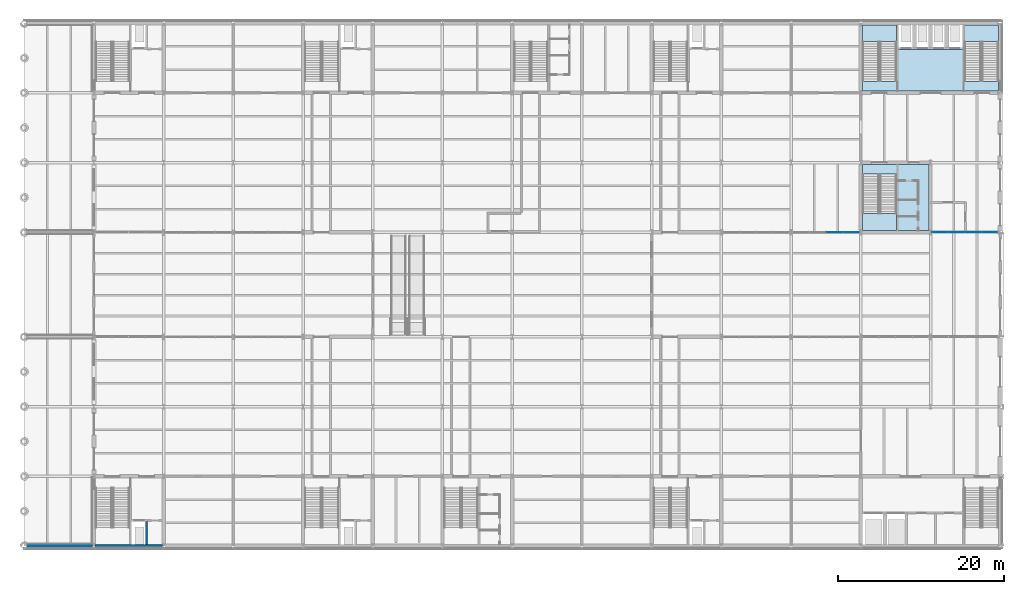
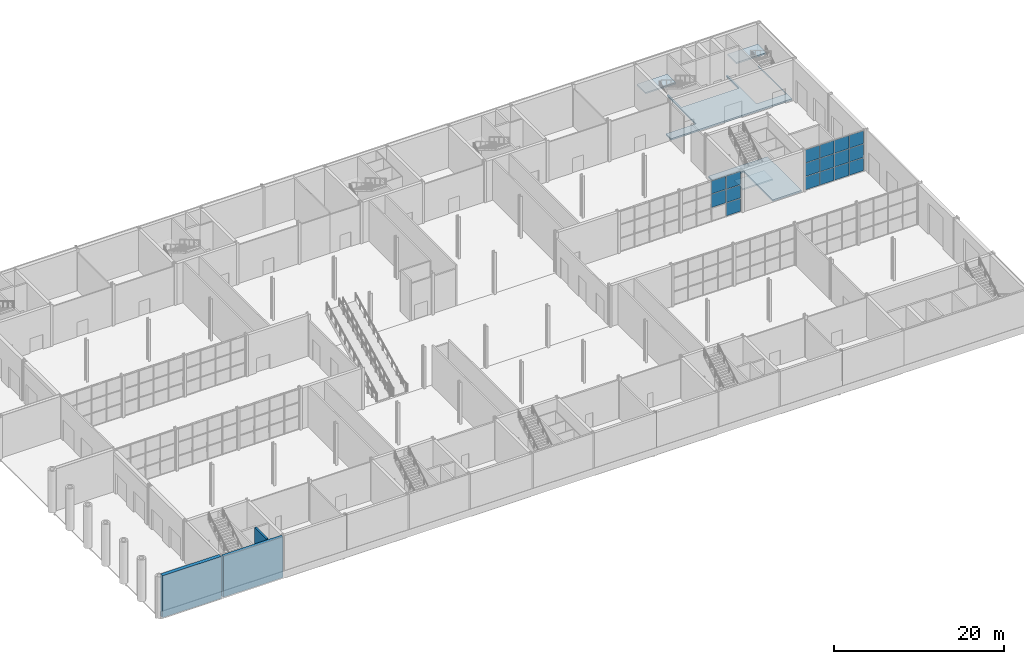
# One storey, part 29 of 55: 17 plates, 5 slabs, 3 walls, 5 elements without a shape of their own.
"""IFC4 building model written with IfcOpenShell, lengths in metres."""

from ifc_helpers import new_model, si_unit, direction, frame, frame_2d, origin, origin_2d, place, context, subcontext, project, spatial, polyline, rectangle, outline, extrude, material, layer, layer_set, type_object, element, aggregate, save


model = new_model("IFC4")

# Units and contexts
model_context = context("Model", 3, precision=1e-05, world=origin(), true_north=direction((0.0, 1.0)))
body_context = subcontext(model_context, "Body", "Model", "MODEL_VIEW")
ifc_project = project(units=[si_unit("LENGTHUNIT", "METRE"), si_unit("AREAUNIT", "SQUARE_METRE"), si_unit("VOLUMEUNIT", "CUBIC_METRE"), si_unit("PLANEANGLEUNIT", "RADIAN"), si_unit("MASSUNIT", "GRAM", prefix="KILO")], contexts=[model_context])

# Site, building, storey
site_placement = place(None, origin())
site = spatial("IfcSite", under=ifc_project, at=site_placement, CompositionType="ELEMENT")
building_placement = place(site_placement, origin())
building = spatial("IfcBuilding", under=site, at=building_placement, Name="Galleria Vessillo Department Store", CompositionType="ELEMENT")
storey_placement = place(building_placement, origin())
storey = spatial("IfcBuildingStorey", under=building, at=storey_placement, Name="L00", CompositionType="ELEMENT", Elevation=0.0)

# Curtain wall, plates
ifc_material_1 = material(Name="Aluminium and glass curtain wall", Category="aluminium")
ifc_layer_1 = layer(ifc_material_1, 0.159912109375)
ifc_layer_set_1 = layer_set([ifc_layer_1], Name="Aluminium and glass curtain wall")
curtain_wall_type_1 = type_object("IfcCurtainWallType", Name="Arcade portal glazing CW2 2100 module", PredefinedType="NOTDEFINED", material=ifc_layer_set_1)
curtain_wall_1_placement = place(storey_placement, origin())
curtain_wall_1 = element("IfcCurtainWall", 1, at=curtain_wall_1_placement, inside=storey, type_object=curtain_wall_type_1, Name="Arcade portal glazing CW2 2100 module PW-E-N-L00-01", PredefinedType="NOTDEFINED")
ifc_material_2 = material(Name="Glass laminated 44.2 low-e", Category="glass")
ifc_layer_2 = layer(ifc_material_2, 0.028076171875)
ifc_layer_set_2 = layer_set([ifc_layer_2], Name="Glass laminated 44.2 low-e")
plate_type_1 = type_object("IfcPlateType", Name="Laminated glass panel 28 mm", PredefinedType="CURTAIN_PANEL", material=ifc_layer_set_2)
plate_1_placement = place(storey_placement, frame((110.360595703125, 37.800048828125, 0.06005859375), z_axis=(0.0, 0.0, 1.0), x_axis=(1.0, 0.0, 0.0)))
plate_1 = element("IfcPlate", 2, at=plate_1_placement, type_object=plate_type_1, Name="CW2 panel 1.1", PredefinedType="CURTAIN_PANEL", context=body_context, shape_type="SweptSolid", body=[
    extrude(rectangle(XDim=1.915283203125, YDim=0.028076171875, at=origin_2d()), origin(), (0.0, 0.0, 1.0), 1.860107421875),
])
plate_2_placement = place(storey_placement, frame((110.360595703125, 37.800048828125, 1.97998046875), z_axis=(0.0, 0.0, 1.0), x_axis=(1.0, 0.0, 0.0)))
plate_2 = element("IfcPlate", 3, at=plate_2_placement, type_object=plate_type_1, Name="CW2 panel 1.2", PredefinedType="CURTAIN_PANEL", context=body_context, shape_type="SweptSolid", body=[
    extrude(rectangle(XDim=1.915283203125, YDim=0.028076171875, at=origin_2d()), origin(), (0.0, 0.0, 1.0), 1.89013671875),
])
plate_3_placement = place(storey_placement, frame((110.360595703125, 37.800048828125, 3.93017578125), z_axis=(0.0, 0.0, 1.0), x_axis=(1.0, 0.0, 0.0)))
plate_3 = element("IfcPlate", 4, at=plate_3_placement, type_object=plate_type_1, Name="CW2 panel 1.3", PredefinedType="CURTAIN_PANEL", context=body_context, shape_type="SweptSolid", body=[
    extrude(rectangle(XDim=1.915283203125, YDim=0.028076171875, at=origin_2d()), origin(), (0.0, 0.0, 1.0), 1.860107421875),
])
plate_4_placement = place(storey_placement, frame((112.33837890625, 37.800048828125, 0.06005859375), z_axis=(0.0, 0.0, 1.0), x_axis=(1.0, 0.0, 0.0)))
plate_4 = element("IfcPlate", 5, at=plate_4_placement, type_object=plate_type_1, Name="CW2 panel 2.1", PredefinedType="CURTAIN_PANEL", context=body_context, shape_type="SweptSolid", body=[
    extrude(rectangle(XDim=1.940185546875, YDim=0.028076171875, at=origin_2d()), origin(), (0.0, 0.0, 1.0), 1.860107421875),
])
plate_5_placement = place(storey_placement, frame((112.33837890625, 37.800048828125, 1.97998046875), z_axis=(0.0, 0.0, 1.0), x_axis=(1.0, 0.0, 0.0)))
plate_5 = element("IfcPlate", 6, at=plate_5_placement, type_object=plate_type_1, Name="CW2 panel 2.2", PredefinedType="CURTAIN_PANEL", context=body_context, shape_type="SweptSolid", body=[
    extrude(rectangle(XDim=1.940185546875, YDim=0.028076171875, at=origin_2d()), origin(), (0.0, 0.0, 1.0), 1.89013671875),
])
plate_6_placement = place(storey_placement, frame((112.33837890625, 37.800048828125, 3.93017578125), z_axis=(0.0, 0.0, 1.0), x_axis=(1.0, 0.0, 0.0)))
plate_6 = element("IfcPlate", 7, at=plate_6_placement, type_object=plate_type_1, Name="CW2 panel 2.3", PredefinedType="CURTAIN_PANEL", context=body_context, shape_type="SweptSolid", body=[
    extrude(rectangle(XDim=1.940185546875, YDim=0.028076171875, at=origin_2d()), origin(), (0.0, 0.0, 1.0), 1.860107421875),
])
plate_7_placement = place(storey_placement, frame((114.328857421875, 37.800048828125, 0.06005859375), z_axis=(0.0, 0.0, 1.0), x_axis=(1.0, 0.0, 0.0)))
plate_7 = element("IfcPlate", 8, at=plate_7_placement, type_object=plate_type_1, Name="CW2 panel 3.1", PredefinedType="CURTAIN_PANEL", context=body_context, shape_type="SweptSolid", body=[
    extrude(rectangle(XDim=1.940185546875, YDim=0.028076171875, at=origin_2d()), origin(), (0.0, 0.0, 1.0), 1.860107421875),
])
plate_8_placement = place(storey_placement, frame((114.328857421875, 37.800048828125, 1.97998046875), z_axis=(0.0, 0.0, 1.0), x_axis=(1.0, 0.0, 0.0)))
plate_8 = element("IfcPlate", 9, at=plate_8_placement, type_object=plate_type_1, Name="CW2 panel 3.2", PredefinedType="CURTAIN_PANEL", context=body_context, shape_type="SweptSolid", body=[
    extrude(rectangle(XDim=1.940185546875, YDim=0.028076171875, at=origin_2d()), origin(), (0.0, 0.0, 1.0), 1.89013671875),
])
plate_9_placement = place(storey_placement, frame((114.328857421875, 37.800048828125, 3.93017578125), z_axis=(0.0, 0.0, 1.0), x_axis=(1.0, 0.0, 0.0)))
plate_9 = element("IfcPlate", 10, at=plate_9_placement, type_object=plate_type_1, Name="CW2 panel 3.3", PredefinedType="CURTAIN_PANEL", context=body_context, shape_type="SweptSolid", body=[
    extrude(rectangle(XDim=1.940185546875, YDim=0.028076171875, at=origin_2d()), origin(), (0.0, 0.0, 1.0), 1.860107421875),
])
plate_10_placement = place(storey_placement, frame((116.306640625, 37.800048828125, 0.06005859375), z_axis=(0.0, 0.0, 1.0), x_axis=(1.0, 0.0, 0.0)))
plate_10 = element("IfcPlate", 11, at=plate_10_placement, type_object=plate_type_1, Name="CW2 panel 4.1", PredefinedType="CURTAIN_PANEL", context=body_context, shape_type="SweptSolid", body=[
    extrude(rectangle(XDim=1.915283203125, YDim=0.028076171875, at=origin_2d()), origin(), (0.0, 0.0, 1.0), 1.860107421875),
])
plate_11_placement = place(storey_placement, frame((116.306640625, 37.800048828125, 1.97998046875), z_axis=(0.0, 0.0, 1.0), x_axis=(1.0, 0.0, 0.0)))
plate_11 = element("IfcPlate", 12, at=plate_11_placement, type_object=plate_type_1, Name="CW2 panel 4.2", PredefinedType="CURTAIN_PANEL", context=body_context, shape_type="SweptSolid", body=[
    extrude(rectangle(XDim=1.915283203125, YDim=0.028076171875, at=origin_2d()), origin(), (0.0, 0.0, 1.0), 1.89013671875),
])
plate_12_placement = place(storey_placement, frame((116.306640625, 37.800048828125, 3.93017578125), z_axis=(0.0, 0.0, 1.0), x_axis=(1.0, 0.0, 0.0)))
plate_12 = element("IfcPlate", 13, at=plate_12_placement, type_object=plate_type_1, Name="CW2 panel 4.3", PredefinedType="CURTAIN_PANEL", context=body_context, shape_type="SweptSolid", body=[
    extrude(rectangle(XDim=1.915283203125, YDim=0.028076171875, at=origin_2d()), origin(), (0.0, 0.0, 1.0), 1.860107421875),
])
aggregate(curtain_wall_1, [plate_1, plate_2, plate_3, plate_4, plate_5, plate_6, plate_7, plate_8, plate_9, plate_10, plate_11, plate_12])

ifc_material_3 = material(Name="Aluminium and glass curtain wall", Category="aluminium")
ifc_layer_3 = layer(ifc_material_3, 0.199951171875)
ifc_layer_set_3 = layer_set([ifc_layer_3], Name="Aluminium and glass curtain wall")
curtain_wall_type_2 = type_object("IfcCurtainWallType", Name="Arcade curtain wall CW1 2100 module", PredefinedType="NOTDEFINED", material=ifc_layer_set_3)
curtain_wall_2_placement = place(storey_placement, origin())
curtain_wall_2 = element("IfcCurtainWall", 14, at=curtain_wall_2_placement, inside=storey, type_object=curtain_wall_type_2, Name="Arcade curtain wall CW1 2100 module AI-AE-N-L00-02", PredefinedType="NOTDEFINED")
ifc_material_4 = material(Name="Glass laminated 44.2 low-e", Category="glass")
ifc_layer_4 = layer(ifc_material_4, 0.031982421875)
ifc_layer_set_4 = layer_set([ifc_layer_4], Name="Glass laminated 44.2 low-e")
plate_type_2 = type_object("IfcPlateType", Name="Laminated glass panel 32 mm", PredefinedType="CURTAIN_PANEL", material=ifc_layer_set_4)
plate_13_placement = place(storey_placement, frame((97.61181640625, 37.800048828125, 1.98486328125), z_axis=(0.0, 0.0, 1.0), x_axis=(1.0, 0.0, 0.0)))
plate_13 = element("IfcPlate", 15, at=plate_13_placement, type_object=plate_type_2, Name="CW1 panel 3.2", PredefinedType="CURTAIN_PANEL", context=body_context, shape_type="SweptSolid", body=[
    extrude(rectangle(XDim=1.96337890625, YDim=0.031982421875, at=origin_2d()), origin(), (0.0, 0.0, 1.0), 1.880126953125),
])
plate_14_placement = place(storey_placement, frame((97.61181640625, 37.800048828125, 3.93505859375), z_axis=(0.0, 0.0, 1.0), x_axis=(1.0, 0.0, 0.0)))
plate_14 = element("IfcPlate", 16, at=plate_14_placement, type_object=plate_type_2, Name="CW1 panel 3.3", PredefinedType="CURTAIN_PANEL", context=body_context, shape_type="SweptSolid", body=[
    extrude(rectangle(XDim=1.96337890625, YDim=0.031982421875, at=origin_2d()), origin(), (0.0, 0.0, 1.0), 1.844970703125),
])
plate_15_placement = place(storey_placement, frame((99.6201171875, 37.800048828125, 0.06982421875), z_axis=(0.0, 0.0, 1.0), x_axis=(1.0, 0.0, 0.0)))
plate_15 = element("IfcPlate", 17, at=plate_15_placement, type_object=plate_type_2, Name="CW1 panel 4.1", PredefinedType="CURTAIN_PANEL", context=body_context, shape_type="SweptSolid", body=[
    extrude(rectangle(XDim=1.93359375, YDim=0.031982421875, at=origin_2d()), origin(), (0.0, 0.0, 1.0), 1.844970703125),
])
plate_16_placement = place(storey_placement, frame((99.6201171875, 37.800048828125, 1.98486328125), z_axis=(0.0, 0.0, 1.0), x_axis=(1.0, 0.0, 0.0)))
plate_16 = element("IfcPlate", 18, at=plate_16_placement, type_object=plate_type_2, Name="CW1 panel 4.2", PredefinedType="CURTAIN_PANEL", context=body_context, shape_type="SweptSolid", body=[
    extrude(rectangle(XDim=1.93359375, YDim=0.031982421875, at=origin_2d()), origin(), (0.0, 0.0, 1.0), 1.880126953125),
])
plate_17_placement = place(storey_placement, frame((99.6201171875, 37.800048828125, 3.93505859375), z_axis=(0.0, 0.0, 1.0), x_axis=(1.0, 0.0, 0.0)))
plate_17 = element("IfcPlate", 19, at=plate_17_placement, type_object=plate_type_2, Name="CW1 panel 4.3", PredefinedType="CURTAIN_PANEL", context=body_context, shape_type="SweptSolid", body=[
    extrude(rectangle(XDim=1.93359375, YDim=0.031982421875, at=origin_2d()), origin(), (0.0, 0.0, 1.0), 1.844970703125),
])
aggregate(curtain_wall_2, [plate_13, plate_14, plate_15, plate_16, plate_17])

# Slabs
ifc_material_5 = material(Name="Concrete C32/40 reinforced", Category="concrete")
ifc_layer_5 = layer(ifc_material_5, 0.219970703125)
ifc_layer_set_5 = layer_set([ifc_layer_5], Name="Concrete C32/40 reinforced")
slab_type_1 = type_object("IfcSlabType", Name="Reinforced concrete core floor slab 220 mm", PredefinedType="FLOOR", material=ifc_layer_set_5)
slab_1_placement = place(storey_placement, frame((0.0, 0.0, -0.219970703125)))
element("IfcSlab", 20, at=slab_1_placement, inside=storey, type_object=slab_type_1, Name="S-SLAB-L00-CORE-TC", PredefinedType="FLOOR", context=body_context, shape_type="SweptSolid", body=[
    extrude(outline(polyline([(117.400146484375, 54.800048828125), (101.0, 54.800048828125), (101.0, 56.0), (105.10009765625, 56.0), (105.10009765625, 62.800048828125), (105.300048828125, 62.800048828125), (105.300048828125, 59.800048828125), (113.10009765625, 59.800048828125), (113.10009765625, 62.800048828125), (113.300048828125, 62.800048828125), (113.300048828125, 56.0), (117.39990234375, 56.0), (117.39990234375, 62.800048828125), (117.400146484375, 54.800048828125)])), origin(), (0.0, 0.0, 1.0), 0.219970703125),
])
slab_2_placement = place(storey_placement, frame((0.0, 0.0, -0.219970703125)))
element("IfcSlab", 21, at=slab_2_placement, inside=storey, type_object=slab_type_1, Name="S-SLAB-L00-CORE-TS", PredefinedType="FLOOR", context=body_context, shape_type="SweptSolid", body=[
    extrude(outline(polyline([(101.0, 46.0), (109.0, 46.0), (109.0, 38.0), (105.10009765625, 38.0), (105.10009765625, 44.800048828125), (101.0, 44.800048828125), (101.0, 46.0)])), origin(), (0.0, 0.0, 1.0), 0.219970703125),
])

# Stair, slab
ifc_material_6 = material(Name="Concrete C32/40", Category="concrete")
stair_type = type_object("IfcStairType", Name="Half-turn escape stair 2000 mm, 36 risers of 167 mm", PredefinedType="HALF_TURN_STAIR", material=ifc_material_6)
stair_1_placement = place(storey_placement, origin())
stair_1 = element("IfcStair", 22, at=stair_1_placement, inside=storey, type_object=stair_type, Name="Stair ST8 L00", PredefinedType="HALF_TURN_STAIR")
ifc_material_7 = material(Name="Concrete C32/40", Category="concrete")
ifc_layer_6 = layer(ifc_material_7, 0.199951171875)
ifc_layer_set_6 = layer_set([ifc_layer_6], Name="Concrete C32/40")
slab_type_2 = type_object("IfcSlabType", Name="Stair half landing 4100 x 2040 mm", PredefinedType="LANDING", material=ifc_layer_set_6)
slab_3_placement = place(storey_placement, frame((0.0, 0.0, 2.800048828125)))
slab_3 = element("IfcSlab", 23, at=slab_3_placement, type_object=slab_type_2, Name="ST8 landing 1", PredefinedType="LANDING", context=body_context, shape_type="SweptSolid", body=[
    extrude(outline(polyline([(101.0, 60.760009765625), (101.0, 62.800048828125), (105.10009765625, 62.800048828125), (105.10009765625, 60.760009765625), (101.0, 60.760009765625)])), origin(), (0.0, 0.0, 1.0), 0.199951171875),
])
aggregate(stair_1, [slab_3])

stair_2_placement = place(storey_placement, origin())
stair_2 = element("IfcStair", 24, at=stair_2_placement, inside=storey, type_object=stair_type, Name="Stair ST9 L00", PredefinedType="HALF_TURN_STAIR")
slab_4_placement = place(storey_placement, frame((0.0, 0.0, 2.800048828125)))
slab_4 = element("IfcSlab", 25, at=slab_4_placement, type_object=slab_type_2, Name="ST9 landing 1", PredefinedType="LANDING", context=body_context, shape_type="SweptSolid", body=[
    extrude(outline(polyline([(113.300048828125, 60.760009765625), (113.300048828125, 62.800048828125), (117.400146484375, 62.800048828125), (117.400146484375, 60.760009765625), (113.300048828125, 60.760009765625)])), origin(), (0.0, 0.0, 1.0), 0.199951171875),
])
aggregate(stair_2, [slab_4])

stair_3_placement = place(storey_placement, origin())
stair_3 = element("IfcStair", 26, at=stair_3_placement, inside=storey, type_object=stair_type, Name="Stair ST12 L00", PredefinedType="HALF_TURN_STAIR")
slab_5_placement = place(storey_placement, frame((0.0, 0.0, 2.800048828125)))
slab_5 = element("IfcSlab", 27, at=slab_5_placement, type_object=slab_type_2, Name="ST12 landing 1", PredefinedType="LANDING", context=body_context, shape_type="SweptSolid", body=[
    extrude(outline(polyline([(101.0, 38.0), (101.0, 40.0400390625), (105.10009765625, 40.0400390625), (105.10009765625, 38.0), (101.0, 38.0)])), origin(), (0.0, 0.0, 1.0), 0.199951171875),
])
aggregate(stair_3, [slab_5])

# Walls
ifc_material_8 = material(Name="Solid clay block masonry", Category="masonry")
ifc_layer_7 = layer(ifc_material_8, 0.25)
ifc_layer_set_7 = layer_set([ifc_layer_7], Name="Solid clay block masonry")
wall_type_1 = type_object("IfcWallType", Name="Lift shaft wall 250 mm", PredefinedType="SOLIDWALL", material=ifc_layer_set_7)
wall_1_placement = place(storey_placement, frame((14.72509765625, 0.199951171875, 0.0), z_axis=(0.0, 0.0, 1.0), x_axis=(0.0, 1.0, 0.0)))
element("IfcWall", 28, at=wall_1_placement, inside=storey, type_object=wall_type_1, Name="Lift shaft wall LP1 L00", PredefinedType="SOLIDWALL", context=body_context, shape_type="SweptSolid", body=[
    extrude(rectangle(XDim=2.75, YDim=0.25, at=frame_2d((1.375, 0.0))), origin(), (0.0, 0.0, 1.0), 6.0),
])
ifc_material_9 = material(Name="Concrete C32/40 reinforced", Category="concrete")
ifc_layer_8 = layer(ifc_material_9, 0.39990234375)
ifc_layer_set_8 = layer_set([ifc_layer_8], Name="Concrete C32/40 reinforced")
wall_type_2 = type_object("IfcWallType", Name="Reinforced concrete core wall 400 mm, external", PredefinedType="SHEAR", material=ifc_layer_set_8)
wall_2_placement = place(storey_placement, frame((8.5498046875, 0.0, 0.0), z_axis=(0.0, 0.0, 1.0), x_axis=(1.0, 0.0, 0.0)))
element("IfcWall", 29, at=wall_2_placement, inside=storey, type_object=wall_type_2, Name="S-CW-PC-SW-PARTY-L00", PredefinedType="SHEAR", context=body_context, shape_type="SweptSolid", body=[
    extrude(rectangle(XDim=8.100341796875, YDim=0.39990234375, at=frame_2d((4.05029296875, 0.0))), origin(), (0.0, 0.0, 1.0), 5.85009765625),
])
ifc_material_10 = material(Name="Concrete C32/40 reinforced", Category="concrete")
ifc_layer_9 = layer(ifc_material_10, 0.5)
ifc_layer_set_9 = layer_set([ifc_layer_9], Name="Concrete C32/40 reinforced")
wall_type_3 = type_object("IfcWallType", Name="Reinforced concrete party wall 500 mm", PredefinedType="SHEAR", material=ifc_layer_set_9)
wall_3_placement = place(storey_placement, frame((0.304931640625, 0.0, 0.0), z_axis=(0.0, 0.0, 1.0), x_axis=(1.0, 0.0, 0.0)))
element("IfcWall", 30, at=wall_3_placement, inside=storey, type_object=wall_type_3, Name="S-PS-L00-01", PredefinedType="SHEAR", context=body_context, shape_type="SweptSolid", body=[
    extrude(rectangle(XDim=7.945068359375, YDim=0.5, at=frame_2d((3.97265625, 0.0))), origin(), (0.0, 0.0, 1.0), 6.0),
])

save(model, "model.ifc")
